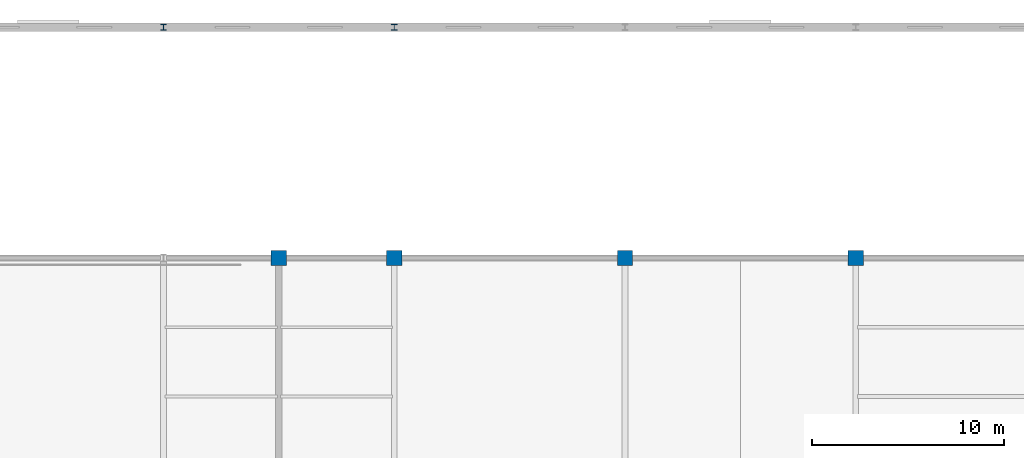
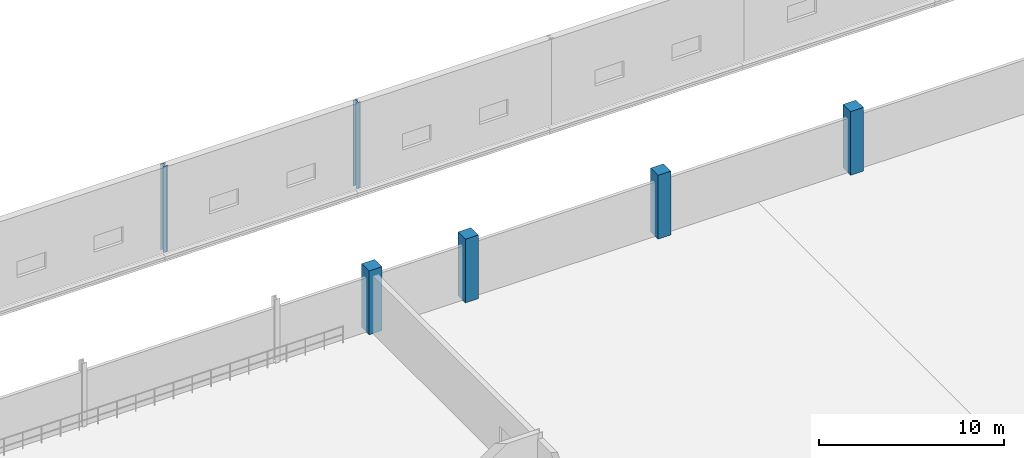
# One storey, part 22 of 147: 6 columns.
"""IFC4 building model written with IfcOpenShell, lengths in metres."""

from ifc_helpers import new_model, si_unit, direction, frame, origin, origin_2d, place, context, subcontext, project, spatial, rectangle, i_section, extrude, material, material_profile, profile_set, type_object, element, save


model = new_model("IFC4")

# Units and contexts
model_context = context("Model", 3, precision=1e-05, world=origin(), true_north=direction((0.0, 1.0)))
body_context = subcontext(model_context, "Body", "Model", "MODEL_VIEW")
ifc_project = project(units=[si_unit("LENGTHUNIT", "METRE"), si_unit("AREAUNIT", "SQUARE_METRE"), si_unit("VOLUMEUNIT", "CUBIC_METRE"), si_unit("PLANEANGLEUNIT", "RADIAN"), si_unit("MASSUNIT", "GRAM", prefix="KILO")], contexts=[model_context])

# Site, building, storey
site_placement = place(None, origin())
site = spatial("IfcSite", under=ifc_project, at=site_placement, CompositionType="ELEMENT")
building_placement = place(site_placement, origin())
building = spatial("IfcBuilding", under=site, at=building_placement, Name="Zilviju Railside Exhibition Hall", CompositionType="ELEMENT")
storey_placement = place(building_placement, frame((0.0, 0.0, 8.39990234375)))
storey = spatial("IfcBuildingStorey", under=building, at=storey_placement, Name="L03", CompositionType="ELEMENT", Elevation=8.39990234375)

# Columns
ifc_material_1 = material(Name="Concrete C40/50", Category="concrete")
ifc_material_profile_1 = material_profile(ifc_material_1, rectangle(XDim=0.800048828125, YDim=0.800048828125, at=origin_2d()), Name="RC COL 800x800")
ifc_profile_set_1 = profile_set([ifc_material_profile_1], Name="Concrete C40/50")
column_type_1 = type_object("IfcColumnType", Name="COL-RC-800", PredefinedType="COLUMN", material=ifc_profile_set_1)
for number, where, z_axis, x_axis, name in (
    (1, (78.0, 138.0, 0.0), (0.0, 0.0, 1.0), (1.0, 0.0, 0.0), "Structural Column L03 (78.0, 138.0)"),
    (2, (84.0, 138.0, 0.0), (0.0, 0.0, 1.0), (1.0, 0.0, 0.0), "Structural Column L03 (84.0, 138.0)"),
    (3, (96.0, 138.0, 0.0), (0.0, 0.0, 1.0), (1.0, 0.0, 0.0), "Structural Column L03 (96.0, 138.0)"),
    (4, (108.0, 138.0, 0.0), (0.0, 0.0, 1.0), (1.0, 0.0, 0.0), "Structural Column L03 (108.0, 138.0)"),
):
    element("IfcColumn", number, at=place(storey_placement, frame(where, z_axis=z_axis, x_axis=x_axis)), inside=storey, type_object=column_type_1, Name=name, PredefinedType="COLUMN", context=body_context, shape_type="SweptSolid", body=[
        extrude(rectangle(XDim=0.800048828125, YDim=0.800048828125, at=origin_2d()), origin(), (0.0, 0.0, 1.0), 4.2001953125),
    ])
ifc_material_2 = material(Name="Steel S355J2", Category="steel")
ifc_material_profile_2 = material_profile(ifc_material_2, i_section(OverallWidth=0.300048828125, OverallDepth=0.300048828125, WebThickness=0.010986328125, FlangeThickness=0.01904296875, at=origin_2d()), Name="HEB 300")
ifc_profile_set_2 = profile_set([ifc_material_profile_2], Name="Steel S355J2")
column_type_2 = type_object("IfcColumnType", Name="COL-ST-HEB300", PredefinedType="COLUMN", material=ifc_profile_set_2)
for number, where, z_axis, x_axis, name in (
    (5, (72.0, 150.0, 0.0), (0.0, 0.0, 1.0), (1.0, 0.0, 0.0), "Structural Column L03 (72.0, 150.0)"),
    (6, (84.0, 150.0, 0.0), (0.0, 0.0, 1.0), (1.0, 0.0, 0.0), "Structural Column L03 (84.0, 150.0)"),
):
    element("IfcColumn", number, at=place(storey_placement, frame(where, z_axis=z_axis, x_axis=x_axis)), inside=storey, type_object=column_type_2, Name=name, PredefinedType="COLUMN", context=body_context, shape_type="SweptSolid", body=[
        extrude(i_section(OverallWidth=0.300048828125, OverallDepth=0.300048828125, WebThickness=0.010986328125, FlangeThickness=0.01904296875, at=origin_2d()), origin(), (0.0, 0.0, 1.0), 5.650146484375),
    ])

save(model, "model.ifc")
